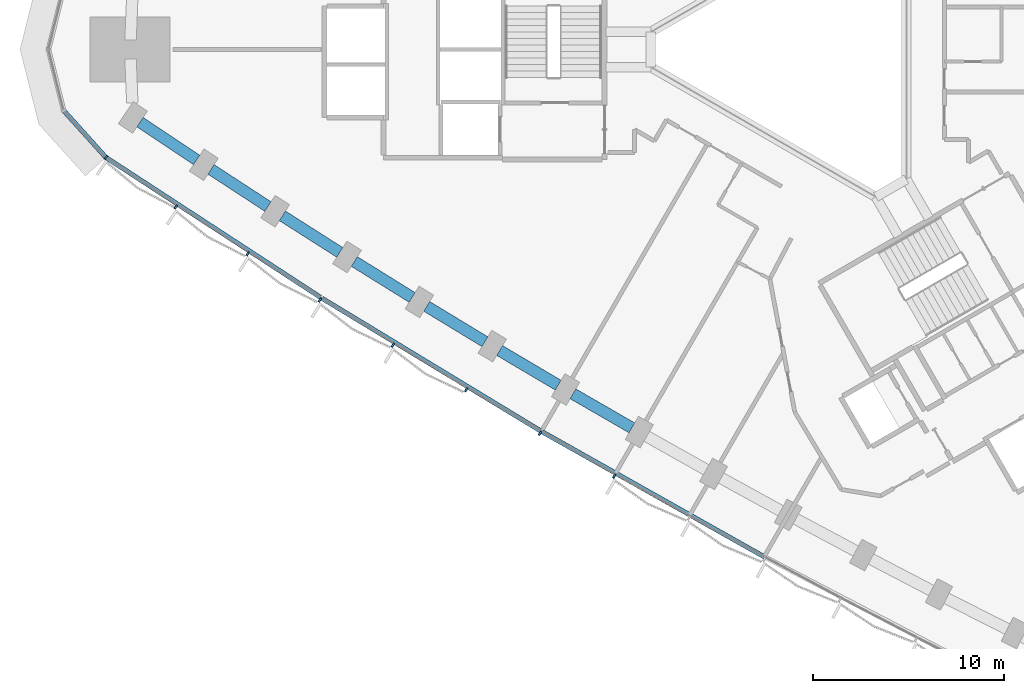
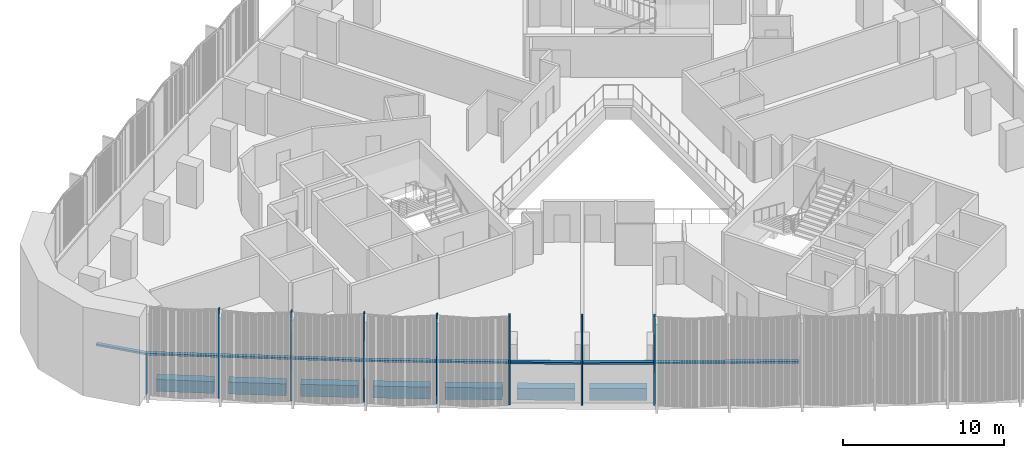
# One storey, part 2 of 16: 12 members, 7 beams, 2 elements without a shape of their own.
"""IFC4 building model written with IfcOpenShell, lengths in metres."""

from ifc_helpers import new_model, si_unit, direction, frame, origin, origin_2d, place, context, subcontext, project, spatial, rectangle, extrude, material, material_profile, profile_set, type_object, element, aggregate, save


model = new_model("IFC4")

# Units and contexts
model_context = context("Model", 3, precision=1e-05, world=origin(), true_north=direction((0.0, 1.0)))
body_context = subcontext(model_context, "Body", "Model", "MODEL_VIEW")
ifc_project = project(units=[si_unit("LENGTHUNIT", "METRE"), si_unit("AREAUNIT", "SQUARE_METRE"), si_unit("VOLUMEUNIT", "CUBIC_METRE"), si_unit("PLANEANGLEUNIT", "RADIAN"), si_unit("MASSUNIT", "GRAM", prefix="KILO")], contexts=[model_context])

# Site, building, storey
site_placement = place(None, origin())
site = spatial("IfcSite", under=ifc_project, at=site_placement, CompositionType="ELEMENT")
building_placement = place(site_placement, origin())
building = spatial("IfcBuilding", under=site, at=building_placement, Name="Tamra Quay Hotel Tower", CompositionType="ELEMENT")
storey_placement = place(building_placement, frame((0.0, 0.0, 45.800048828125)))
storey = spatial("IfcBuildingStorey", under=building, at=storey_placement, Name="L09", CompositionType="ELEMENT", Elevation=45.800048828125)

# Curtain wall, members
ifc_material_1 = material(Name="Aluminium 6063 anodised dark grey", Category="aluminium")
curtain_wall_type_1 = type_object("IfcCurtainWallType", Name="CW3 CURTAIN WALL", PredefinedType="NOTDEFINED", material=ifc_material_1)
curtain_wall_1_placement = place(storey_placement, origin())
curtain_wall_1 = element("IfcCurtainWall", 1, at=curtain_wall_1_placement, inside=storey, type_object=curtain_wall_type_1, Name="CW3 south-west face L09", PredefinedType="NOTDEFINED")
ifc_material_profile_1 = material_profile(ifc_material_1, rectangle(XDim=0.239990234375, YDim=0.10009765625, at=origin_2d()), Name="MULLION 100X240")
ifc_profile_set_1 = profile_set([ifc_material_profile_1], Name="Aluminium 6063 anodised dark grey")
member_type_1 = type_object("IfcMemberType", Name="MULLION CW3 Z1", PredefinedType="MULLION", material=ifc_profile_set_1)
member_1_placement = place(storey_placement, frame((-37.001708984375, -5.6669921875, 0.0), z_axis=(0.0, 0.0, 1.0), x_axis=(-0.654196739281, -0.756324418695, 0.0)))
member_1 = element("IfcMember", 2, at=member_1_placement, type_object=member_type_1, Name="CW3 mullion L09.SW.1", PredefinedType="MULLION", context=body_context, shape_type="SweptSolid", body=[
    extrude(rectangle(XDim=0.239990234375, YDim=0.10009765625, at=origin_2d()), origin(), (0.0, 0.0, 1.0), 3.125),
])
member_2_placement = place(storey_placement, frame((-33.32763671875, -8.262939453125, 0.0), z_axis=(0.0, 0.0, 1.0), x_axis=(-0.550591210923, -0.834775010679, 0.0)))
member_2 = element("IfcMember", 3, at=member_2_placement, type_object=member_type_1, Name="CW3 mullion L09.SW.2", PredefinedType="MULLION", context=body_context, shape_type="SweptSolid", body=[
    extrude(rectangle(XDim=0.239990234375, YDim=0.10009765625, at=origin_2d()), origin(), (0.0, 0.0, 1.0), 6.724853515625),
])
member_3_placement = place(storey_placement, frame((-29.5576171875, -10.720458984375, 0.0), z_axis=(0.0, 0.0, 1.0), x_axis=(-0.541560699791, -0.840661649204, 0.0)))
member_3 = element("IfcMember", 4, at=member_3_placement, type_object=member_type_1, Name="CW3 mullion L09.SW.3", PredefinedType="MULLION", context=body_context, shape_type="SweptSolid", body=[
    extrude(rectangle(XDim=0.239990234375, YDim=0.10009765625, at=origin_2d()), origin(), (0.0, 0.0, 1.0), 6.724853515625),
])
member_4_placement = place(storey_placement, frame((-25.7626953125, -13.136474609375, 0.0), z_axis=(0.0, 0.0, 1.0), x_axis=(-0.532446769932, -0.846463488397, 0.0)))
member_4 = element("IfcMember", 5, at=member_4_placement, type_object=member_type_1, Name="CW3 mullion L09.SW.4", PredefinedType="MULLION", context=body_context, shape_type="SweptSolid", body=[
    extrude(rectangle(XDim=0.239990234375, YDim=0.10009765625, at=origin_2d()), origin(), (0.0, 0.0, 1.0), 6.724853515625),
])
member_5_placement = place(storey_placement, frame((-21.94189453125, -15.510986328125, 0.0), z_axis=(0.0, 0.0, 1.0), x_axis=(-0.523257107809, -0.852174864173, 0.0)))
member_5 = element("IfcMember", 6, at=member_5_placement, type_object=member_type_1, Name="CW3 mullion L09.SW.5", PredefinedType="MULLION", context=body_context, shape_type="SweptSolid", body=[
    extrude(rectangle(XDim=0.239990234375, YDim=0.10009765625, at=origin_2d()), origin(), (0.0, 0.0, 1.0), 6.724853515625),
])
member_6_placement = place(storey_placement, frame((-18.09423828125, -17.844970703125, 0.0), z_axis=(0.0, 0.0, 1.0), x_axis=(-0.514004208519, -0.857787662318, 0.0)))
member_6 = element("IfcMember", 7, at=member_6_placement, type_object=member_type_1, Name="CW3 mullion L09.SW.6", PredefinedType="MULLION", context=body_context, shape_type="SweptSolid", body=[
    extrude(rectangle(XDim=0.239990234375, YDim=0.10009765625, at=origin_2d()), origin(), (0.0, 0.0, 1.0), 6.724853515625),
])
member_7_placement = place(storey_placement, frame((-14.222900390625, -20.136474609375, 0.0), z_axis=(0.0, 0.0, 1.0), x_axis=(-0.504684780346, -0.863303696556, 0.0)))
member_7 = element("IfcMember", 8, at=member_7_placement, type_object=member_type_1, Name="CW3 mullion L09.SW.7", PredefinedType="MULLION", context=body_context, shape_type="SweptSolid", body=[
    extrude(rectangle(XDim=0.239990234375, YDim=0.10009765625, at=origin_2d()), origin(), (0.0, 0.0, 1.0), 6.724853515625),
])
member_8_placement = place(storey_placement, frame((-10.3271484375, -22.3857421875, 0.0), z_axis=(0.0, 0.0, 1.0), x_axis=(-0.495300542226, -0.868721688961, 0.0)))
member_8 = element("IfcMember", 9, at=member_8_placement, type_object=member_type_1, Name="CW3 mullion L09.SW.8", PredefinedType="MULLION", context=body_context, shape_type="SweptSolid", body=[
    extrude(rectangle(XDim=0.239990234375, YDim=0.10009765625, at=origin_2d()), origin(), (0.0, 0.0, 1.0), 6.724853515625),
])

# Beams
ifc_material_2 = material(Name="Concrete M60", Category="concrete")
ifc_material_profile_2 = material_profile(ifc_material_2, rectangle(XDim=0.60009765625, YDim=0.89990234375, at=origin_2d()), Name="SPANDREL BEAM RC 600x900")
ifc_profile_set_2 = profile_set([ifc_material_profile_2], Name="Concrete M60")
beam_type = type_object("IfcBeamType", Name="SPANDREL BEAM RC 600x900", PredefinedType="SPANDREL", material=ifc_profile_set_2)
beam_1_placement = place(storey_placement, frame((-35.209228515625, -3.814697265625, -0.925048828125), z_axis=(0.831818807601, -0.555047269448, 0.0), x_axis=(0.555047269448, 0.831818807601, 0.0)))
element("IfcBeam", 10, at=beam_1_placement, inside=storey, type_object=beam_type, Name="BM-SP1-030-L09", PredefinedType="SPANDREL", context=body_context, shape_type="SweptSolid", body=[
    extrude(rectangle(XDim=0.60009765625, YDim=0.89990234375, at=origin_2d()), origin(), (0.0, 0.0, 1.0), 3.57080078125),
])
beam_2_placement = place(storey_placement, frame((-31.48779296875, -6.292236328125, -0.925048828125), z_axis=(0.837739819239, -0.546069588296, 0.0), x_axis=(0.546069588296, 0.837739819239, 0.0)))
element("IfcBeam", 11, at=beam_2_placement, inside=storey, type_object=beam_type, Name="BM-SP1-031-L09", PredefinedType="SPANDREL", context=body_context, shape_type="SweptSolid", body=[
    extrude(rectangle(XDim=0.60009765625, YDim=0.89990234375, at=origin_2d()), origin(), (0.0, 0.0, 1.0), 3.570068359375),
])
beam_3_placement = place(storey_placement, frame((-27.740478515625, -8.729248046875, -0.925048828125), z_axis=(0.843593906333, -0.53698167678, 0.0), x_axis=(0.53698167678, 0.843593906333, 0.0)))
element("IfcBeam", 12, at=beam_3_placement, inside=storey, type_object=beam_type, Name="BM-SP1-032-L09", PredefinedType="SPANDREL", context=body_context, shape_type="SweptSolid", body=[
    extrude(rectangle(XDim=0.60009765625, YDim=0.89990234375, at=origin_2d()), origin(), (0.0, 0.0, 1.0), 3.5703125),
])
beam_4_placement = place(storey_placement, frame((-23.966552734375, -11.125732421875, -0.925048828125), z_axis=(0.849320953317, -0.527876802158, 0.0), x_axis=(0.527876802158, 0.849320953317, 0.0)))
element("IfcBeam", 13, at=beam_4_placement, inside=storey, type_object=beam_type, Name="BM-SP1-033-L09", PredefinedType="SPANDREL", context=body_context, shape_type="SweptSolid", body=[
    extrude(rectangle(XDim=0.60009765625, YDim=0.89990234375, at=origin_2d()), origin(), (0.0, 0.0, 1.0), 3.570556640625),
])
beam_5_placement = place(storey_placement, frame((-20.1669921875, -13.4814453125, -0.925048828125), z_axis=(0.854966252085, -0.518683629775, 0.0), x_axis=(0.518683629775, 0.854966252085, 0.0)))
element("IfcBeam", 14, at=beam_5_placement, inside=storey, type_object=beam_type, Name="BM-SP1-034-L09", PredefinedType="SPANDREL", context=body_context, shape_type="SweptSolid", body=[
    extrude(rectangle(XDim=0.60009765625, YDim=0.89990234375, at=origin_2d()), origin(), (0.0, 0.0, 1.0), 3.56982421875),
])
beam_6_placement = place(storey_placement, frame((-16.3427734375, -15.79541015625, -0.925048828125), z_axis=(0.860524689034, -0.509408735264, 0.0), x_axis=(0.509408735264, 0.860524689034, 0.0)))
element("IfcBeam", 15, at=beam_6_placement, inside=storey, type_object=beam_type, Name="BM-SP1-035-L09", PredefinedType="SPANDREL", context=body_context, shape_type="SweptSolid", body=[
    extrude(rectangle(XDim=0.60009765625, YDim=0.89990234375, at=origin_2d()), origin(), (0.0, 0.0, 1.0), 3.570556640625),
])
beam_7_placement = place(storey_placement, frame((-12.493408203125, -18.068359375, -0.925048828125), z_axis=(0.866017069707, -0.500014434768, 0.0), x_axis=(0.500014434768, 0.866017069707, 0.0)))
element("IfcBeam", 16, at=beam_7_placement, inside=storey, type_object=beam_type, Name="BM-SP1-036-L09", PredefinedType="SPANDREL", context=body_context, shape_type="SweptSolid", body=[
    extrude(rectangle(XDim=0.60009765625, YDim=0.89990234375, at=origin_2d()), origin(), (0.0, 0.0, 1.0), 3.57080078125),
])

# Curtain wall, member
curtain_wall_type_2 = type_object("IfcCurtainWallType", Name="CW2 CURTAIN WALL", PredefinedType="NOTDEFINED", material=ifc_material_1)
curtain_wall_2_placement = place(storey_placement, origin())
curtain_wall_2 = element("IfcCurtainWall", 17, at=curtain_wall_2_placement, inside=storey, type_object=curtain_wall_type_2, Name="CW2 north-west face L09", PredefinedType="NOTDEFINED")
ifc_material_profile_3 = material_profile(ifc_material_1, rectangle(XDim=0.239990234375, YDim=0.139892578125, at=origin_2d()), Name="TRANSOM 240X140")
ifc_profile_set_3 = profile_set([ifc_material_profile_3], Name="Aluminium 6063 anodised dark grey")
member_type_2 = type_object("IfcMemberType", Name="TRANSOM CW2 Z1", PredefinedType="USERDEFINED", material=ifc_profile_set_3)
member_9_placement = place(storey_placement, frame((-39.18115234375, -3.246337890625, 3.054931640625), z_axis=(0.669103504087, -0.743169227577, 0.0), x_axis=(0.743169227577, 0.669103504087, 0.0)))
member_9 = element("IfcMember", 18, at=member_9_placement, type_object=member_type_2, Name="CW2 transom L09.NW.17", ObjectType="TRANSOM", PredefinedType="USERDEFINED", context=body_context, shape_type="SweptSolid", body=[
    extrude(rectangle(XDim=0.239990234375, YDim=0.139892578125, at=origin_2d()), origin(), (0.0, 0.0, 1.0), 3.207275390625),
])
aggregate(curtain_wall_2, [member_9])

# Member
ifc_material_profile_4 = material_profile(ifc_material_1, rectangle(XDim=0.239990234375, YDim=0.139892578125, at=origin_2d()), Name="TRANSOM 240X140")
ifc_profile_set_4 = profile_set([ifc_material_profile_4], Name="Aluminium 6063 anodised dark grey")
member_type_3 = type_object("IfcMemberType", Name="TRANSOM CW3 Z1", PredefinedType="USERDEFINED", material=ifc_profile_set_4)
member_10_placement = place(storey_placement, frame((-36.9599609375, -5.69482421875, 3.054931640625), z_axis=(0.837738597212, -0.546071463036, 0.0), x_axis=(0.546071463036, 0.837738597212, 0.0)))
member_10 = element("IfcMember", 19, at=member_10_placement, type_object=member_type_3, Name="CW3 transom L09.SW.1", ObjectType="TRANSOM", PredefinedType="USERDEFINED", context=body_context, shape_type="SweptSolid", body=[
    extrude(rectangle(XDim=0.239990234375, YDim=0.139892578125, at=origin_2d()), origin(), (0.0, 0.0, 1.0), 13.39208984375),
])

member_11_placement = place(storey_placement, frame((-25.656494140625, -13.061279296875, 3.054931640625), z_axis=(0.854996255935, -0.518634170044, 0.0), x_axis=(0.518634170044, 0.854996255935, 0.0)))
member_11 = element("IfcMember", 20, at=member_11_placement, type_object=member_type_3, Name="CW3 transom L09.SW.4", ObjectType="TRANSOM", PredefinedType="USERDEFINED", context=body_context, shape_type="SweptSolid", body=[
    extrude(rectangle(XDim=0.239990234375, YDim=0.139892578125, at=origin_2d()), origin(), (0.0, 0.0, 1.0), 13.39306640625),
])

member_12_placement = place(storey_placement, frame((-14.119140625, -20.057861328125, 3.054931640625), z_axis=(0.871397788328, -0.490577103518, 0.0), x_axis=(0.490577103518, 0.871397788328, 0.0)))
member_12 = element("IfcMember", 21, at=member_12_placement, type_object=member_type_3, Name="CW3 transom L09.SW.7", ObjectType="TRANSOM", PredefinedType="USERDEFINED", context=body_context, shape_type="SweptSolid", body=[
    extrude(rectangle(XDim=0.239990234375, YDim=0.139892578125, at=origin_2d()), origin(), (0.0, 0.0, 1.0), 13.39306640625),
])

aggregate(curtain_wall_1, [member_1, member_10, member_2, member_3, member_4, member_11, member_5, member_6, member_7, member_12, member_8])

save(model, "model.ifc")
